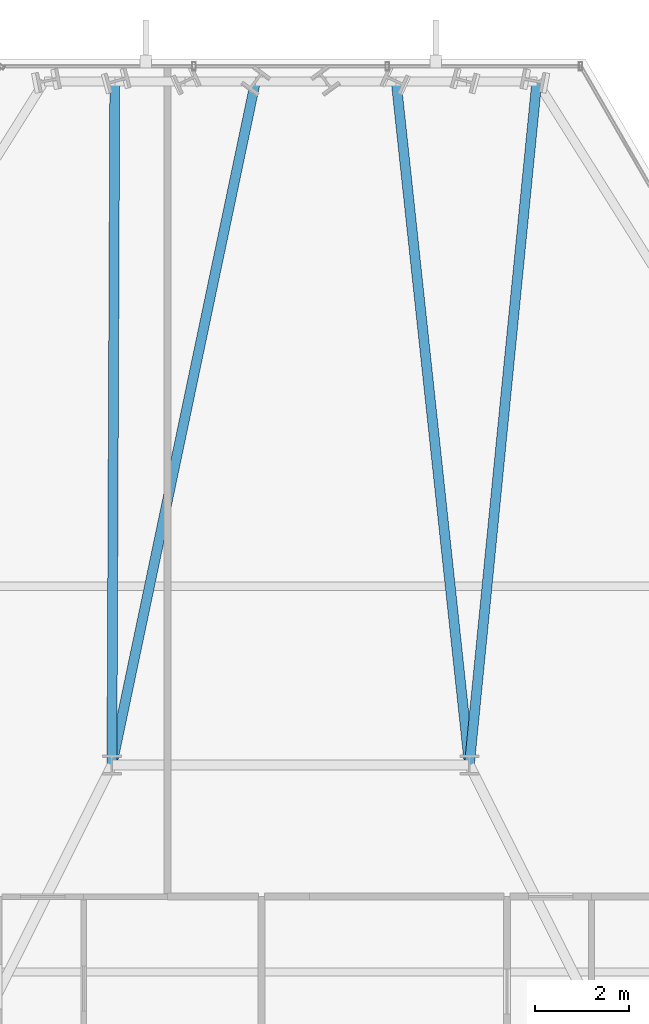
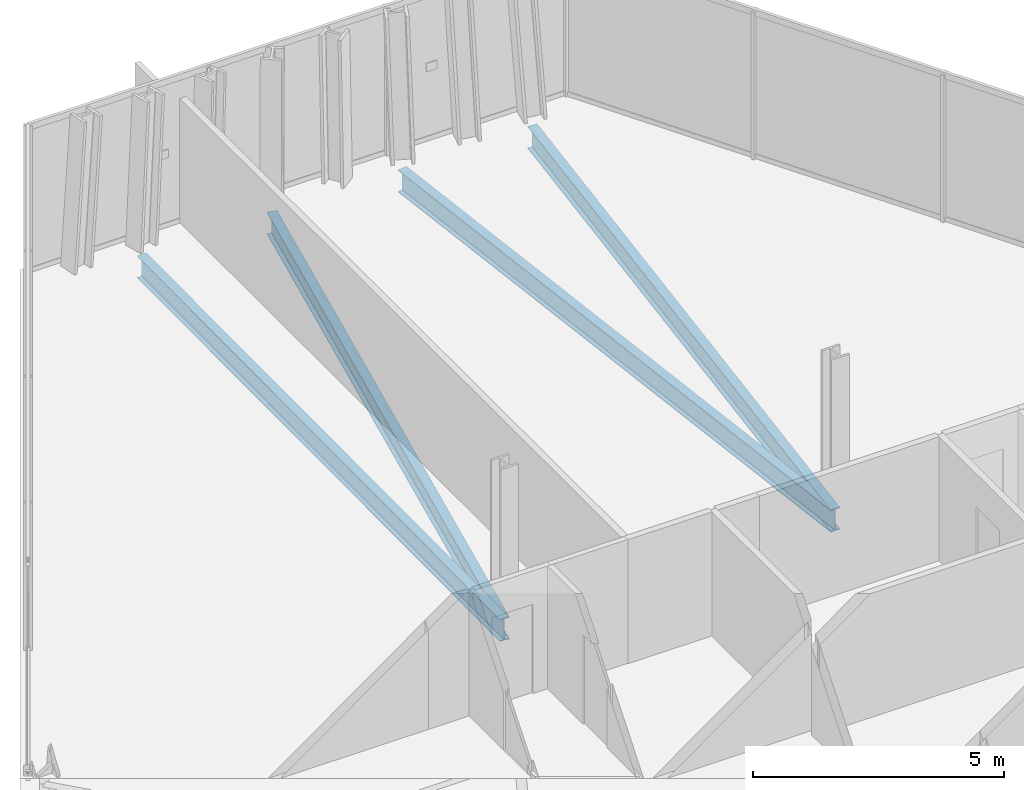
# One storey, part 21 of 32: 4 beams.
"""IFC4 building model written with IfcOpenShell, lengths in metres."""

from ifc_helpers import new_model, si_unit, direction, frame, origin, origin_2d, place, context, subcontext, project, spatial, i_section, extrude, material, material_profile, profile_set, type_object, element, save


model = new_model("IFC4")

# Units and contexts
model_context = context("Model", 3, precision=1e-05, world=origin(), true_north=direction((0.0, 1.0)))
body_context = subcontext(model_context, "Body", "Model", "MODEL_VIEW")
ifc_project = project(units=[si_unit("LENGTHUNIT", "METRE"), si_unit("AREAUNIT", "SQUARE_METRE"), si_unit("VOLUMEUNIT", "CUBIC_METRE"), si_unit("PLANEANGLEUNIT", "RADIAN"), si_unit("MASSUNIT", "GRAM", prefix="KILO")], contexts=[model_context])

# Site, building, storey
site_placement = place(None, origin())
site = spatial("IfcSite", under=ifc_project, at=site_placement, CompositionType="ELEMENT")
building_placement = place(site_placement, origin())
building = spatial("IfcBuilding", under=site, at=building_placement, Name="Ndaravel Arena Tower", CompositionType="ELEMENT")
storey_placement = place(building_placement, frame((0.0, 0.0, 134.60009765625)))
storey = spatial("IfcBuildingStorey", under=building, at=storey_placement, Name="L31", CompositionType="ELEMENT", Elevation=134.60009765625)

# Beams
ifc_material = material(Name="Steel S355", Category="steel")
ifc_material_profile = material_profile(ifc_material, i_section(OverallWidth=0.210693359375, OverallDepth=0.53955078125, WebThickness=0.01171875, FlangeThickness=0.018798828125, FilletRadius=0.0126953125, at=origin_2d()), Name="UB 533x210x109")
ifc_profile_set = profile_set([ifc_material_profile], Name="Steel S355")
beam_type = type_object("IfcBeamType", Name="BM-GIRD-UB533", PredefinedType="BEAM", material=ifc_profile_set)
beam_1_placement = place(storey_placement, frame((47.234375, 45.736083984375, -0.48974609375), z_axis=(-0.098196280092, -0.995167066666, 0.0), x_axis=(0.995167066666, -0.098196280092, 0.0)))
element("IfcBeam", 1, at=beam_1_placement, inside=storey, type_object=beam_type, Name="L31 Radial Floor Girder FG-11", PredefinedType="BEAM", context=body_context, shape_type="SweptSolid", body=[
    extrude(i_section(OverallWidth=0.210693359375, OverallDepth=0.53955078125, WebThickness=0.01171875, FlangeThickness=0.018798828125, FilletRadius=0.0126953125, at=origin_2d()), origin(), (0.0, 0.0, 1.0), 14.606689453125),
])
beam_2_placement = place(storey_placement, frame((44.243408203125, 45.736083984375, -0.48974609375), z_axis=(0.106478874965, -0.99431496478, 0.0), x_axis=(0.99431496478, 0.106478874965, 0.0)))
element("IfcBeam", 2, at=beam_2_placement, inside=storey, type_object=beam_type, Name="L31 Radial Floor Girder FG-13", PredefinedType="BEAM", context=body_context, shape_type="SweptSolid", body=[
    extrude(i_section(OverallWidth=0.210693359375, OverallDepth=0.53955078125, WebThickness=0.01171875, FlangeThickness=0.018798828125, FilletRadius=0.0126953125, at=origin_2d()), origin(), (0.0, 0.0, 1.0), 14.619140625),
])
beam_3_placement = place(storey_placement, frame((41.252197265625, 45.736083984375, -0.48974609375), z_axis=(-0.205495194411, -0.978658124717, 0.0), x_axis=(0.978658124717, -0.205495194411, 0.0)))
element("IfcBeam", 3, at=beam_3_placement, inside=storey, type_object=beam_type, Name="L31 Radial Floor Girder FG-15", PredefinedType="BEAM", context=body_context, shape_type="SweptSolid", body=[
    extrude(i_section(OverallWidth=0.210693359375, OverallDepth=0.53955078125, WebThickness=0.01171875, FlangeThickness=0.018798828125, FilletRadius=0.0126953125, at=origin_2d()), origin(), (0.0, 0.0, 1.0), 14.85302734375),
])
beam_4_placement = place(storey_placement, frame((38.26123046875, 45.736083984375, -0.48974609375), z_axis=(-0.004215615883, -0.999991114252, 0.0), x_axis=(0.999991114252, -0.004215615883, 0.0)))
element("IfcBeam", 4, at=beam_4_placement, inside=storey, type_object=beam_type, Name="L31 Radial Floor Girder FG-17", PredefinedType="BEAM", context=body_context, shape_type="SweptSolid", body=[
    extrude(i_section(OverallWidth=0.210693359375, OverallDepth=0.53955078125, WebThickness=0.01171875, FlangeThickness=0.018798828125, FilletRadius=0.0126953125, at=origin_2d()), origin(), (0.0, 0.0, 1.0), 14.536376953125),
])

save(model, "model.ifc")
